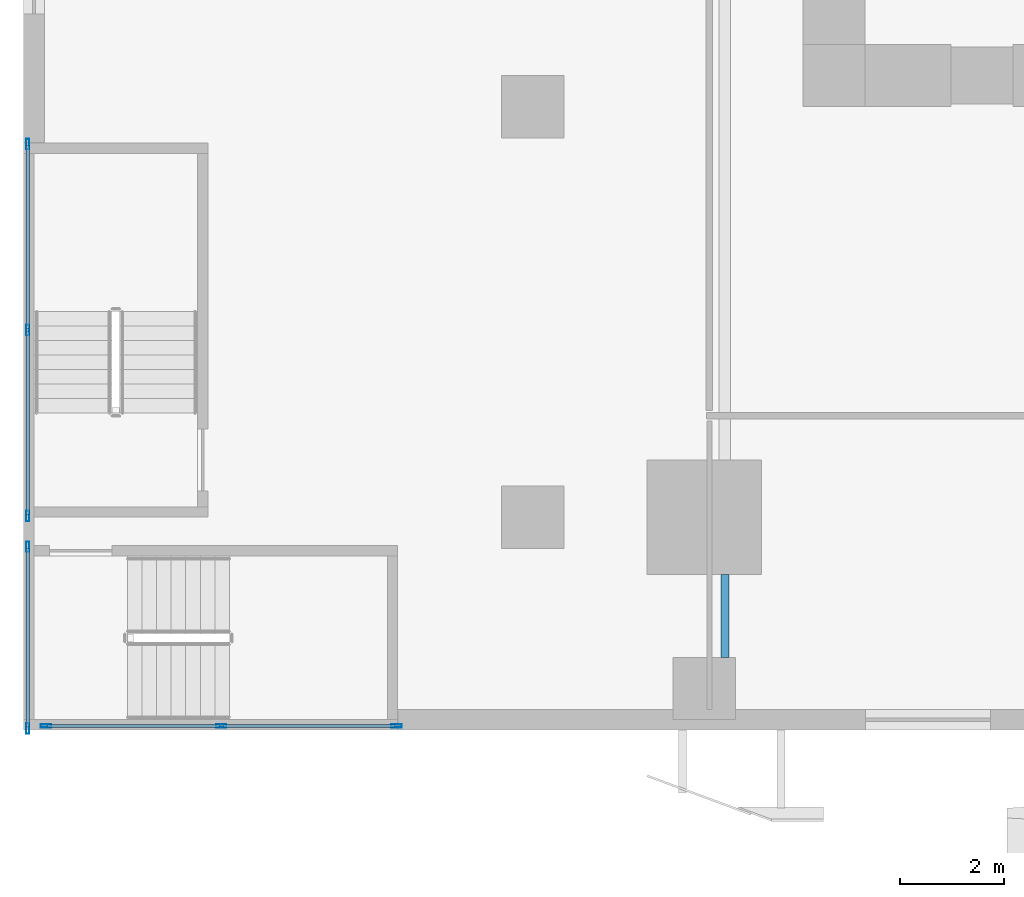
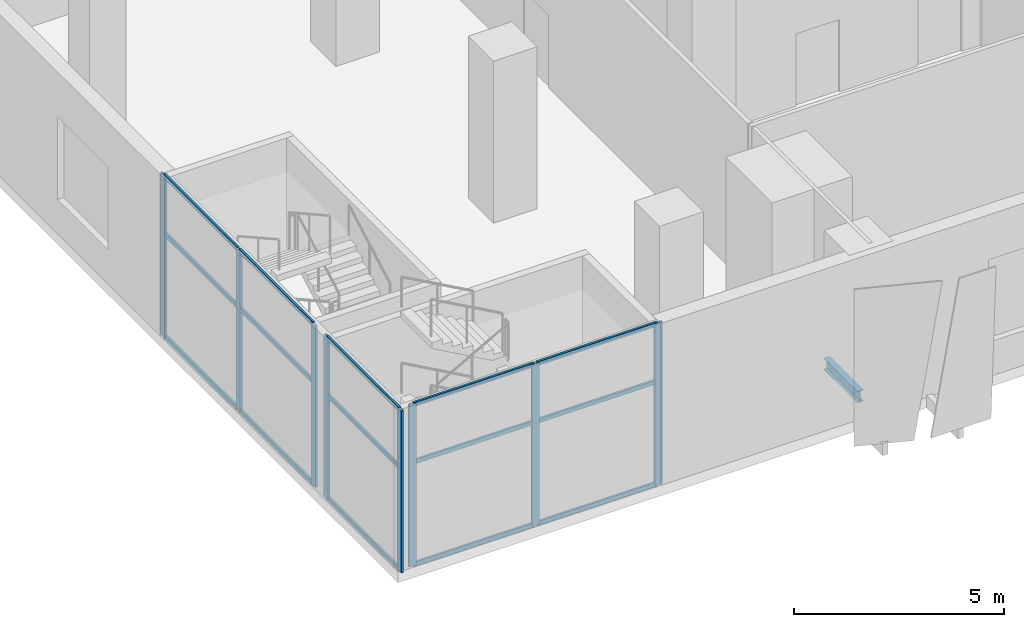
# One storey, part 2 of 23: 23 members, 1 beam, 3 elements without a shape of their own.
"""IFC4 building model written with IfcOpenShell, lengths in metres."""

from ifc_helpers import new_model, si_unit, direction, frame, origin, origin_2d, place, context, subcontext, project, spatial, hollow_rectangle, i_section, extrude, source, transform, mapped, material, material_profile, profile_set, type_object, element, aggregate, save


model = new_model("IFC4")

# Units and contexts
model_context = context("Model", 3, precision=1e-05, world=origin(), true_north=direction((0.0, 1.0)))
body_context = subcontext(model_context, "Body", "Model", "MODEL_VIEW")
ifc_project = project(units=[si_unit("LENGTHUNIT", "METRE"), si_unit("AREAUNIT", "SQUARE_METRE"), si_unit("VOLUMEUNIT", "CUBIC_METRE"), si_unit("PLANEANGLEUNIT", "RADIAN"), si_unit("MASSUNIT", "GRAM", prefix="KILO")], contexts=[model_context])

# Site, building, storey
site_placement = place(None, origin())
site = spatial("IfcSite", under=ifc_project, at=site_placement, CompositionType="ELEMENT")
building_placement = place(site_placement, origin())
building = spatial("IfcBuilding", under=site, at=building_placement, Name="Khomas Fold Tower", CompositionType="ELEMENT")
storey_placement = place(building_placement, frame((0.0, 0.0, 18.5)))
storey = spatial("IfcBuildingStorey", under=building, at=storey_placement, Name="L03", CompositionType="ELEMENT", Elevation=18.5)

# Beam
ifc_material_1 = material(Name="Steel S355", Category="steel")
ifc_material_profile_1 = material_profile(ifc_material_1, i_section(OverallWidth=0.159912109375, OverallDepth=0.330078125, WebThickness=0.007568359375, FlangeThickness=0.011474609375, at=origin_2d()), Name="IPE 330")
ifc_profile_set_1 = profile_set([ifc_material_profile_1], Name="Steel S355")
beam_type = type_object("IfcBeamType", Name="IPE 330 beam JB1", PredefinedType="BEAM", material=ifc_profile_set_1)
shared_shape_1 = source(origin(), body_context, "Body", "SweptSolid", [
    extrude(i_section(OverallWidth=0.159912109375, OverallDepth=0.330078125, WebThickness=0.007568359375, FlangeThickness=0.011474609375, at=origin_2d()), origin(), (0.0, 0.0, 1.0), 1.60009765625),
])
beam_placement = place(storey_placement, frame((4.5, 1.39990234375, -0.465087890625), z_axis=(0.0, 1.0, 0.0), x_axis=(-1.0, 0.0, 0.0)))
element("IfcBeam", 1, at=beam_placement, inside=storey, type_object=beam_type, Name="JB1", PredefinedType="BEAM", context=body_context, shape_type="MappedRepresentation", body=[
    mapped(shared_shape_1, transform((0.0, 0.0, 0.0))),
])

# Curtain wall, members
ifc_material_2 = material(Name="Aluminium framed double glazing", Category="aluminium")
curtain_wall_type = type_object("IfcCurtainWallType", Name="Shopfront glazing PD-CW", PredefinedType="NOTDEFINED", material=ifc_material_2)
curtain_wall_1_placement = place(storey_placement, origin())
curtain_wall_1 = element("IfcCurtainWall", 2, at=curtain_wall_1_placement, inside=storey, type_object=curtain_wall_type, Name="Podium stair-tower glazing", PredefinedType="NOTDEFINED")
ifc_material_3 = material(Name="Aluminium", Category="aluminium")
ifc_material_profile_2 = material_profile(ifc_material_3, hollow_rectangle(XDim=0.06005859375, YDim=0.1201171875, WallThickness=0.00390625, at=origin_2d()), Name="Shopfront glazing transom PD-CW-T")
ifc_profile_set_2 = profile_set([ifc_material_profile_2], Name="Aluminium")
member_type_1 = type_object("IfcMemberType", Name="Shopfront glazing transom PD-CW-T", PredefinedType="USERDEFINED", material=ifc_profile_set_2)
shared_shape_2 = source(origin(), body_context, "Body", "SweptSolid", [
    extrude(hollow_rectangle(XDim=0.06005859375, YDim=0.1201171875, WallThickness=0.00390625, at=origin_2d()), origin(), (0.0, 0.0, 1.0), 3.52001953125),
])
member_1_placement = place(storey_placement, frame((-8.919921875, 11.25, 0.030029296875), z_axis=(0.0, -1.0, 0.0), x_axis=(1.0, 0.0, 0.0)))
member_1 = element("IfcMember", 3, at=member_1_placement, type_object=member_type_1, Name="PD-CW transom 1.1", ObjectType="TRANSOM", PredefinedType="USERDEFINED", context=body_context, shape_type="MappedRepresentation", body=[
    mapped(shared_shape_2, transform((0.0, 0.0, 0.0))),
])
member_2_placement = place(storey_placement, frame((-8.919921875, 11.25, 3.0), z_axis=(0.0, -1.0, 0.0), x_axis=(1.0, 0.0, 0.0)))
member_2 = element("IfcMember", 4, at=member_2_placement, type_object=member_type_1, Name="PD-CW transom 1.2", ObjectType="TRANSOM", PredefinedType="USERDEFINED", context=body_context, shape_type="MappedRepresentation", body=[
    mapped(shared_shape_2, transform((0.0, 0.0, 0.0))),
])
member_3_placement = place(storey_placement, frame((-8.919921875, 11.25, 4.669921875), z_axis=(0.0, -1.0, 0.0), x_axis=(1.0, 0.0, 0.0)))
member_3 = element("IfcMember", 5, at=member_3_placement, type_object=member_type_1, Name="PD-CW transom 1.3", ObjectType="TRANSOM", PredefinedType="USERDEFINED", context=body_context, shape_type="MappedRepresentation", body=[
    mapped(shared_shape_2, transform((0.0, 0.0, 0.0))),
])
member_4_placement = place(storey_placement, frame((-8.919921875, 7.669921875, 0.030029296875), z_axis=(0.0, -1.0, 0.0), x_axis=(1.0, 0.0, 0.0)))
member_4 = element("IfcMember", 6, at=member_4_placement, type_object=member_type_1, Name="PD-CW transom 2.1", ObjectType="TRANSOM", PredefinedType="USERDEFINED", context=body_context, shape_type="MappedRepresentation", body=[
    mapped(shared_shape_2, transform((0.0, 0.0, 0.0))),
])
member_5_placement = place(storey_placement, frame((-8.919921875, 7.669921875, 3.0), z_axis=(0.0, -1.0, 0.0), x_axis=(1.0, 0.0, 0.0)))
member_5 = element("IfcMember", 7, at=member_5_placement, type_object=member_type_1, Name="PD-CW transom 2.2", ObjectType="TRANSOM", PredefinedType="USERDEFINED", context=body_context, shape_type="MappedRepresentation", body=[
    mapped(shared_shape_2, transform((0.0, 0.0, 0.0))),
])
member_6_placement = place(storey_placement, frame((-8.919921875, 7.669921875, 4.669921875), z_axis=(0.0, -1.0, 0.0), x_axis=(1.0, 0.0, 0.0)))
member_6 = element("IfcMember", 8, at=member_6_placement, type_object=member_type_1, Name="PD-CW transom 2.3", ObjectType="TRANSOM", PredefinedType="USERDEFINED", context=body_context, shape_type="MappedRepresentation", body=[
    mapped(shared_shape_2, transform((0.0, 0.0, 0.0))),
])

curtain_wall_2_placement = place(storey_placement, origin())
curtain_wall_2 = element("IfcCurtainWall", 9, at=curtain_wall_2_placement, inside=storey, type_object=curtain_wall_type, Name="Podium stair-tower glazing", PredefinedType="NOTDEFINED")
shared_shape_3 = source(origin(), body_context, "Body", "SweptSolid", [
    extrude(hollow_rectangle(XDim=0.06005859375, YDim=0.1201171875, WallThickness=0.00390625, at=origin_2d()), origin(), (0.0, 0.0, 1.0), 3.43994140625),
])
member_7_placement = place(storey_placement, frame((-8.919921875, 3.5, 0.030029296875), z_axis=(0.0, -1.0, 0.0), x_axis=(1.0, 0.0, 0.0)))
member_7 = element("IfcMember", 10, at=member_7_placement, type_object=member_type_1, Name="PD-CW transom 1.1", ObjectType="TRANSOM", PredefinedType="USERDEFINED", context=body_context, shape_type="MappedRepresentation", body=[
    mapped(shared_shape_3, transform((0.0, 0.0, 0.0))),
])
member_8_placement = place(storey_placement, frame((-8.919921875, 3.5, 3.0), z_axis=(0.0, -1.0, 0.0), x_axis=(1.0, 0.0, 0.0)))
member_8 = element("IfcMember", 11, at=member_8_placement, type_object=member_type_1, Name="PD-CW transom 1.2", ObjectType="TRANSOM", PredefinedType="USERDEFINED", context=body_context, shape_type="MappedRepresentation", body=[
    mapped(shared_shape_3, transform((0.0, 0.0, 0.0))),
])
member_9_placement = place(storey_placement, frame((-8.919921875, 3.5, 4.669921875), z_axis=(0.0, -1.0, 0.0), x_axis=(1.0, 0.0, 0.0)))
member_9 = element("IfcMember", 12, at=member_9_placement, type_object=member_type_1, Name="PD-CW transom 1.3", ObjectType="TRANSOM", PredefinedType="USERDEFINED", context=body_context, shape_type="MappedRepresentation", body=[
    mapped(shared_shape_3, transform((0.0, 0.0, 0.0))),
])

curtain_wall_3_placement = place(storey_placement, origin())
curtain_wall_3 = element("IfcCurtainWall", 13, at=curtain_wall_3_placement, inside=storey, type_object=curtain_wall_type, Name="Podium stair-tower glazing", PredefinedType="NOTDEFINED")
shared_shape_4 = source(origin(), body_context, "Body", "SweptSolid", [
    extrude(hollow_rectangle(XDim=0.06005859375, YDim=0.1201171875, WallThickness=0.00390625, at=origin_2d()), origin(), (0.0, 0.0, 1.0), 3.31494140625),
])
member_10_placement = place(storey_placement, frame((-8.5400390625, 0.080078125, 0.030029296875), z_axis=(1.0, 0.0, 0.0), x_axis=(0.0, 1.0, 0.0)))
member_10 = element("IfcMember", 14, at=member_10_placement, type_object=member_type_1, Name="PD-CW transom 1.1", ObjectType="TRANSOM", PredefinedType="USERDEFINED", context=body_context, shape_type="MappedRepresentation", body=[
    mapped(shared_shape_4, transform((0.0, 0.0, 0.0))),
])
member_11_placement = place(storey_placement, frame((-8.5400390625, 0.080078125, 3.0), z_axis=(1.0, 0.0, 0.0), x_axis=(0.0, 1.0, 0.0)))
member_11 = element("IfcMember", 15, at=member_11_placement, type_object=member_type_1, Name="PD-CW transom 1.2", ObjectType="TRANSOM", PredefinedType="USERDEFINED", context=body_context, shape_type="MappedRepresentation", body=[
    mapped(shared_shape_4, transform((0.0, 0.0, 0.0))),
])
member_12_placement = place(storey_placement, frame((-8.5400390625, 0.080078125, 4.669921875), z_axis=(1.0, 0.0, 0.0), x_axis=(0.0, 1.0, 0.0)))
member_12 = element("IfcMember", 16, at=member_12_placement, type_object=member_type_1, Name="PD-CW transom 1.3", ObjectType="TRANSOM", PredefinedType="USERDEFINED", context=body_context, shape_type="MappedRepresentation", body=[
    mapped(shared_shape_4, transform((0.0, 0.0, 0.0))),
])
member_13_placement = place(storey_placement, frame((-5.1650390625, 0.080078125, 0.030029296875), z_axis=(1.0, 0.0, 0.0), x_axis=(0.0, 1.0, 0.0)))
member_13 = element("IfcMember", 17, at=member_13_placement, type_object=member_type_1, Name="PD-CW transom 2.1", ObjectType="TRANSOM", PredefinedType="USERDEFINED", context=body_context, shape_type="MappedRepresentation", body=[
    mapped(shared_shape_4, transform((0.0, 0.0, 0.0))),
])
member_14_placement = place(storey_placement, frame((-5.1650390625, 0.080078125, 3.0), z_axis=(1.0, 0.0, 0.0), x_axis=(0.0, 1.0, 0.0)))
member_14 = element("IfcMember", 18, at=member_14_placement, type_object=member_type_1, Name="PD-CW transom 2.2", ObjectType="TRANSOM", PredefinedType="USERDEFINED", context=body_context, shape_type="MappedRepresentation", body=[
    mapped(shared_shape_4, transform((0.0, 0.0, 0.0))),
])
member_15_placement = place(storey_placement, frame((-5.1650390625, 0.080078125, 4.669921875), z_axis=(1.0, 0.0, 0.0), x_axis=(0.0, 1.0, 0.0)))
member_15 = element("IfcMember", 19, at=member_15_placement, type_object=member_type_1, Name="PD-CW transom 2.3", ObjectType="TRANSOM", PredefinedType="USERDEFINED", context=body_context, shape_type="MappedRepresentation", body=[
    mapped(shared_shape_4, transform((0.0, 0.0, 0.0))),
])

# Member
ifc_material_4 = material(Name="Aluminium", Category="aluminium")
ifc_material_profile_3 = material_profile(ifc_material_4, hollow_rectangle(XDim=0.06005859375, YDim=0.199951171875, WallThickness=0.00390625, at=origin_2d()), Name="Shopfront glazing mullion PD-CW-M")
ifc_profile_set_3 = profile_set([ifc_material_profile_3], Name="Aluminium")
member_type_2 = type_object("IfcMemberType", Name="Shopfront glazing mullion PD-CW-M", PredefinedType="MULLION", material=ifc_profile_set_3)
shared_shape_5 = source(origin(), body_context, "Body", "SweptSolid", [
    extrude(hollow_rectangle(XDim=0.06005859375, YDim=0.199951171875, WallThickness=0.00390625, at=origin_2d()), origin(), (0.0, 0.0, 1.0), 4.699951171875),
])
member_16_placement = place(storey_placement, frame((-8.919921875, 11.280029296875, 0.0), z_axis=(0.0, 0.0, 1.0), x_axis=(1.0, 0.0, 0.0)))
member_16 = element("IfcMember", 20, at=member_16_placement, type_object=member_type_2, Name="PD-CW mullion 1", PredefinedType="MULLION", context=body_context, shape_type="MappedRepresentation", body=[
    mapped(shared_shape_5, transform((0.0, 0.0, 0.0))),
])

member_17_placement = place(storey_placement, frame((-8.919921875, 7.699951171875, 0.0), z_axis=(0.0, 0.0, 1.0), x_axis=(1.0, 0.0, 0.0)))
member_17 = element("IfcMember", 21, at=member_17_placement, type_object=member_type_2, Name="PD-CW mullion 2", PredefinedType="MULLION", context=body_context, shape_type="MappedRepresentation", body=[
    mapped(shared_shape_5, transform((0.0, 0.0, 0.0))),
])

member_18_placement = place(storey_placement, frame((-8.919921875, 4.1201171875, 0.0), z_axis=(0.0, 0.0, 1.0), x_axis=(1.0, 0.0, 0.0)))
member_18 = element("IfcMember", 22, at=member_18_placement, type_object=member_type_2, Name="PD-CW mullion 3", PredefinedType="MULLION", context=body_context, shape_type="MappedRepresentation", body=[
    mapped(shared_shape_5, transform((0.0, 0.0, 0.0))),
])

aggregate(curtain_wall_1, [member_16, member_17, member_18, member_1, member_2, member_3, member_4, member_5, member_6])

member_19_placement = place(storey_placement, frame((-8.919921875, 3.530029296875, 0.0), z_axis=(0.0, 0.0, 1.0), x_axis=(1.0, 0.0, 0.0)))
member_19 = element("IfcMember", 23, at=member_19_placement, type_object=member_type_2, Name="PD-CW mullion 1", PredefinedType="MULLION", context=body_context, shape_type="MappedRepresentation", body=[
    mapped(shared_shape_5, transform((0.0, 0.0, 0.0))),
])

member_20_placement = place(storey_placement, frame((-8.919921875, 0.030029296875, 0.0), z_axis=(0.0, 0.0, 1.0), x_axis=(1.0, 0.0, 0.0)))
member_20 = element("IfcMember", 24, at=member_20_placement, type_object=member_type_2, Name="PD-CW mullion 2", PredefinedType="MULLION", context=body_context, shape_type="MappedRepresentation", body=[
    mapped(shared_shape_5, transform((0.0, 0.0, 0.0))),
])

aggregate(curtain_wall_2, [member_19, member_20, member_7, member_8, member_9])

member_21_placement = place(storey_placement, frame((-8.570068359375, 0.080078125, 0.0), z_axis=(0.0, 0.0, 1.0), x_axis=(0.0, 1.0, 0.0)))
member_21 = element("IfcMember", 25, at=member_21_placement, type_object=member_type_2, Name="PD-CW mullion 1", PredefinedType="MULLION", context=body_context, shape_type="MappedRepresentation", body=[
    mapped(shared_shape_5, transform((0.0, 0.0, 0.0))),
])

member_22_placement = place(storey_placement, frame((-5.195068359375, 0.080078125, 0.0), z_axis=(0.0, 0.0, 1.0), x_axis=(0.0, 1.0, 0.0)))
member_22 = element("IfcMember", 26, at=member_22_placement, type_object=member_type_2, Name="PD-CW mullion 2", PredefinedType="MULLION", context=body_context, shape_type="MappedRepresentation", body=[
    mapped(shared_shape_5, transform((0.0, 0.0, 0.0))),
])

member_23_placement = place(storey_placement, frame((-1.820068359375, 0.080078125, 0.0), z_axis=(0.0, 0.0, 1.0), x_axis=(0.0, 1.0, 0.0)))
member_23 = element("IfcMember", 27, at=member_23_placement, type_object=member_type_2, Name="PD-CW mullion 3", PredefinedType="MULLION", context=body_context, shape_type="MappedRepresentation", body=[
    mapped(shared_shape_5, transform((0.0, 0.0, 0.0))),
])

aggregate(curtain_wall_3, [member_21, member_22, member_23, member_10, member_11, member_12, member_13, member_14, member_15])

save(model, "model.ifc")
